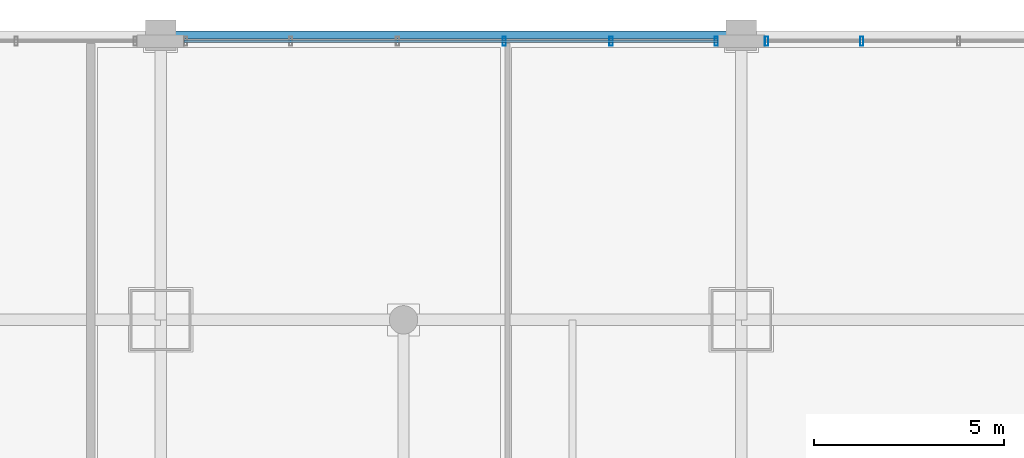
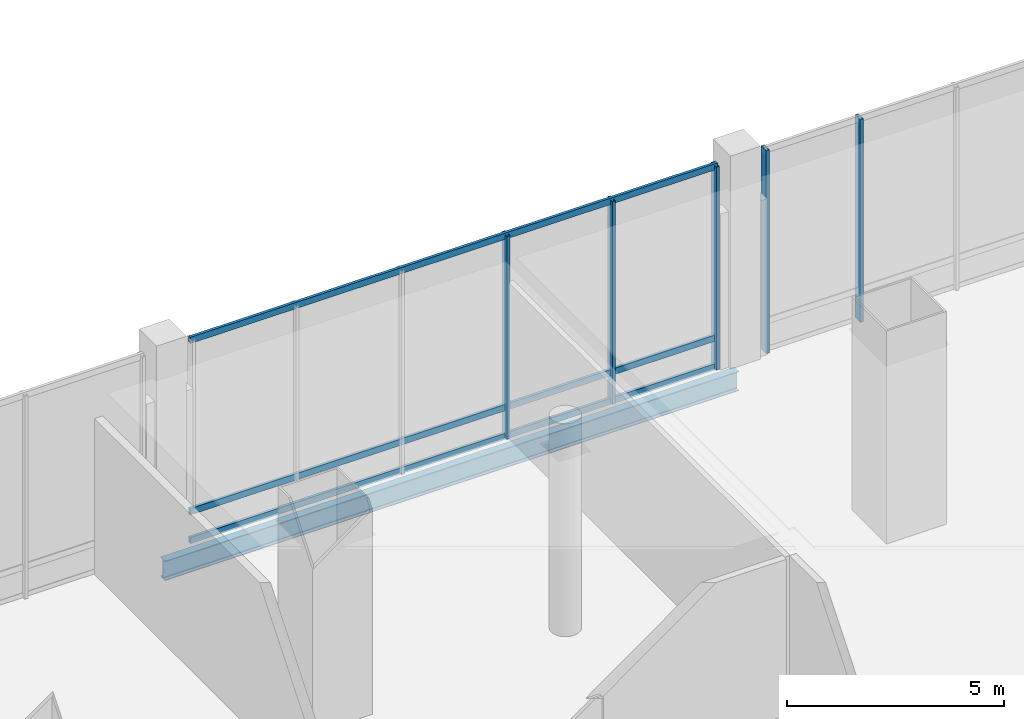
# One storey, part 17 of 38: 8 members, 1 beam, 2 elements without a shape of their own.
"""IFC4 building model written with IfcOpenShell, lengths in metres."""

from ifc_helpers import new_model, si_unit, direction, frame, origin, origin_2d, place, context, subcontext, project, spatial, hollow_rectangle, i_section, extrude, material, material_profile, profile_set, type_object, element, aggregate, save


model = new_model("IFC4")

# Units and contexts
model_context = context("Model", 3, precision=1e-05, world=origin(), true_north=direction((0.0, 1.0)))
body_context = subcontext(model_context, "Body", "Model", "MODEL_VIEW")
ifc_project = project(units=[si_unit("LENGTHUNIT", "METRE"), si_unit("AREAUNIT", "SQUARE_METRE"), si_unit("VOLUMEUNIT", "CUBIC_METRE"), si_unit("PLANEANGLEUNIT", "RADIAN"), si_unit("MASSUNIT", "GRAM", prefix="KILO")], contexts=[model_context])

# Site, building, storey
site_placement = place(None, origin())
site = spatial("IfcSite", under=ifc_project, at=site_placement, CompositionType="ELEMENT")
building_placement = place(site_placement, origin())
building = spatial("IfcBuilding", under=site, at=building_placement, Name="Punatoya Terracotta Tower", CompositionType="ELEMENT")
storey_placement = place(building_placement, frame((0.0, 0.0, 22.199951171875)))
storey = spatial("IfcBuildingStorey", under=building, at=storey_placement, Name="L04", CompositionType="ELEMENT", Elevation=22.199951171875)

# Beam
ifc_material_1 = material(Name="Steel S355", Category="steel")
ifc_material_profile_1 = material_profile(ifc_material_1, i_section(OverallWidth=0.2099609375, OverallDepth=0.550048828125, WebThickness=0.010986328125, FlangeThickness=0.01708984375, FilletRadius=0.01806640625, at=origin_2d()))
ifc_profile_set_1 = profile_set([ifc_material_profile_1], Name="Steel S355")
beam_type = type_object("IfcBeamType", Name="BM-SPN-550", PredefinedType="SPANDREL", material=ifc_profile_set_1)
beam_placement = place(storey_placement, frame((3.800048828125, 25.0, -0.655029296875), z_axis=(1.0, 0.0, 0.0), x_axis=(0.0, 1.0, 0.0)))
element("IfcBeam", 1, at=beam_placement, inside=storey, type_object=beam_type, Name="BM-L04-MIDH-3", PredefinedType="SPANDREL", context=body_context, shape_type="SweptSolid", body=[
    extrude(i_section(OverallWidth=0.2099609375, OverallDepth=0.550048828125, WebThickness=0.010986328125, FlangeThickness=0.01708984375, FilletRadius=0.01806640625, at=origin_2d()), origin(), (0.0, 0.0, 1.0), 15.300048828125),
])

# Curtain wall, members
ifc_material_2 = material(Name="Aluminium 6063-T6 + Double Low-E Glass", Category="aluminium")
curtain_wall_type = type_object("IfcCurtainWallType", Name="CW-POD", PredefinedType="NOTDEFINED", material=ifc_material_2)
curtain_wall_1_placement = place(storey_placement, origin())
curtain_wall_1 = element("IfcCurtainWall", 2, at=curtain_wall_1_placement, inside=storey, type_object=curtain_wall_type, Name="L04 Curtain Wall CWP-L04-N5", PredefinedType="NOTDEFINED")
ifc_material_3 = material(Name="Aluminium 6063-T6", Category="aluminium")
ifc_material_profile_2 = material_profile(ifc_material_3, hollow_rectangle(XDim=0.0849609375, YDim=0.239990234375, WallThickness=0.0048828125, at=origin_2d()))
ifc_profile_set_2 = profile_set([ifc_material_profile_2], Name="Aluminium 6063-T6")
member_type_1 = type_object("IfcMemberType", Name="CW-MUL-POD", PredefinedType="MULLION", material=ifc_profile_set_2)
member_1_placement = place(storey_placement, frame((18.43505859375, 24.840087890625, 0.0), z_axis=(0.0, 0.0, 1.0), x_axis=(1.0, 0.0, 0.0)))
member_1 = element("IfcMember", 3, at=member_1_placement, type_object=member_type_1, Name="CWP-L04-N5 Mullion 00", PredefinedType="MULLION", context=body_context, shape_type="SweptSolid", body=[
    extrude(hollow_rectangle(XDim=0.0849609375, YDim=0.239990234375, WallThickness=0.0048828125, at=origin_2d()), origin(), (0.0, 0.0, 1.0), 5.719970703125),
])
member_2_placement = place(storey_placement, frame((15.66796875, 24.840087890625, 0.0), z_axis=(0.0, 0.0, 1.0), x_axis=(1.0, 0.0, 0.0)))
member_2 = element("IfcMember", 4, at=member_2_placement, type_object=member_type_1, Name="CWP-L04-N5 Mullion 01", PredefinedType="MULLION", context=body_context, shape_type="SweptSolid", body=[
    extrude(hollow_rectangle(XDim=0.0849609375, YDim=0.239990234375, WallThickness=0.0048828125, at=origin_2d()), origin(), (0.0, 0.0, 1.0), 5.719970703125),
])
member_3_placement = place(storey_placement, frame((12.85595703125, 24.840087890625, 0.0), z_axis=(0.0, 0.0, 1.0), x_axis=(1.0, 0.0, 0.0)))
member_3 = element("IfcMember", 5, at=member_3_placement, type_object=member_type_1, Name="CWP-L04-N5 Mullion 02", PredefinedType="MULLION", context=body_context, shape_type="SweptSolid", body=[
    extrude(hollow_rectangle(XDim=0.0849609375, YDim=0.239990234375, WallThickness=0.0048828125, at=origin_2d()), origin(), (0.0, 0.0, 1.0), 5.719970703125),
])

curtain_wall_2_placement = place(storey_placement, origin())
curtain_wall_2 = element("IfcCurtainWall", 6, at=curtain_wall_2_placement, inside=storey, type_object=curtain_wall_type, Name="L04 Curtain Wall CWP-L04-N6", PredefinedType="NOTDEFINED")
member_4_placement = place(storey_placement, frame((22.273193359375, 24.840087890625, 0.0), z_axis=(0.0, 0.0, 1.0), x_axis=(1.0, 0.0, 0.0)))
member_4 = element("IfcMember", 7, at=member_4_placement, type_object=member_type_1, Name="CWP-L04-N6 Mullion 02", PredefinedType="MULLION", context=body_context, shape_type="SweptSolid", body=[
    extrude(hollow_rectangle(XDim=0.0849609375, YDim=0.239990234375, WallThickness=0.0048828125, at=origin_2d()), origin(), (0.0, 0.0, 1.0), 5.719970703125),
])
member_5_placement = place(storey_placement, frame((19.764892578125, 24.840087890625, 0.0), z_axis=(0.0, 0.0, 1.0), x_axis=(1.0, 0.0, 0.0)))
member_5 = element("IfcMember", 8, at=member_5_placement, type_object=member_type_1, Name="CWP-L04-N6 Mullion 03", PredefinedType="MULLION", context=body_context, shape_type="SweptSolid", body=[
    extrude(hollow_rectangle(XDim=0.0849609375, YDim=0.239990234375, WallThickness=0.0048828125, at=origin_2d()), origin(), (0.0, 0.0, 1.0), 5.719970703125),
])
aggregate(curtain_wall_2, [member_4, member_5])

# Member
ifc_material_profile_3 = material_profile(ifc_material_3, hollow_rectangle(XDim=0.074951171875, YDim=0.175048828125, WallThickness=0.00439453125, at=origin_2d()))
ifc_profile_set_3 = profile_set([ifc_material_profile_3], Name="Aluminium 6063-T6")
member_type_2 = type_object("IfcMemberType", Name="CW-TRN-POD", PredefinedType="USERDEFINED", material=ifc_profile_set_3)
member_6_placement = place(storey_placement, frame((18.47998046875, 24.840087890625, 0.0400390625), z_axis=(-1.0, 0.0, 0.0), x_axis=(0.0, -1.0, 0.0)))
member_6 = element("IfcMember", 9, at=member_6_placement, type_object=member_type_2, Name="CWP-L04-N5 Transom 1", ObjectType="TRANSOM", PredefinedType="USERDEFINED", context=body_context, shape_type="SweptSolid", body=[
    extrude(hollow_rectangle(XDim=0.074951171875, YDim=0.175048828125, WallThickness=0.00439453125, at=origin_2d()), origin(), (0.0, 0.0, 1.0), 14.06005859375),
])

member_7_placement = place(storey_placement, frame((18.47998046875, 24.840087890625, 0.85009765625), z_axis=(-1.0, 0.0, 0.0), x_axis=(0.0, -1.0, 0.0)))
member_7 = element("IfcMember", 10, at=member_7_placement, type_object=member_type_2, Name="CWP-L04-N5 Transom 2", ObjectType="TRANSOM", PredefinedType="USERDEFINED", context=body_context, shape_type="SweptSolid", body=[
    extrude(hollow_rectangle(XDim=0.074951171875, YDim=0.175048828125, WallThickness=0.00439453125, at=origin_2d()), origin(), (0.0, 0.0, 1.0), 14.06005859375),
])

member_8_placement = place(storey_placement, frame((18.47998046875, 24.840087890625, 5.679931640625), z_axis=(-1.0, 0.0, 0.0), x_axis=(0.0, -1.0, 0.0)))
member_8 = element("IfcMember", 11, at=member_8_placement, type_object=member_type_2, Name="CWP-L04-N5 Transom 3", ObjectType="TRANSOM", PredefinedType="USERDEFINED", context=body_context, shape_type="SweptSolid", body=[
    extrude(hollow_rectangle(XDim=0.074951171875, YDim=0.175048828125, WallThickness=0.00439453125, at=origin_2d()), origin(), (0.0, 0.0, 1.0), 14.06005859375),
])

aggregate(curtain_wall_1, [member_1, member_2, member_3, member_6, member_7, member_8])

save(model, "model.ifc")
